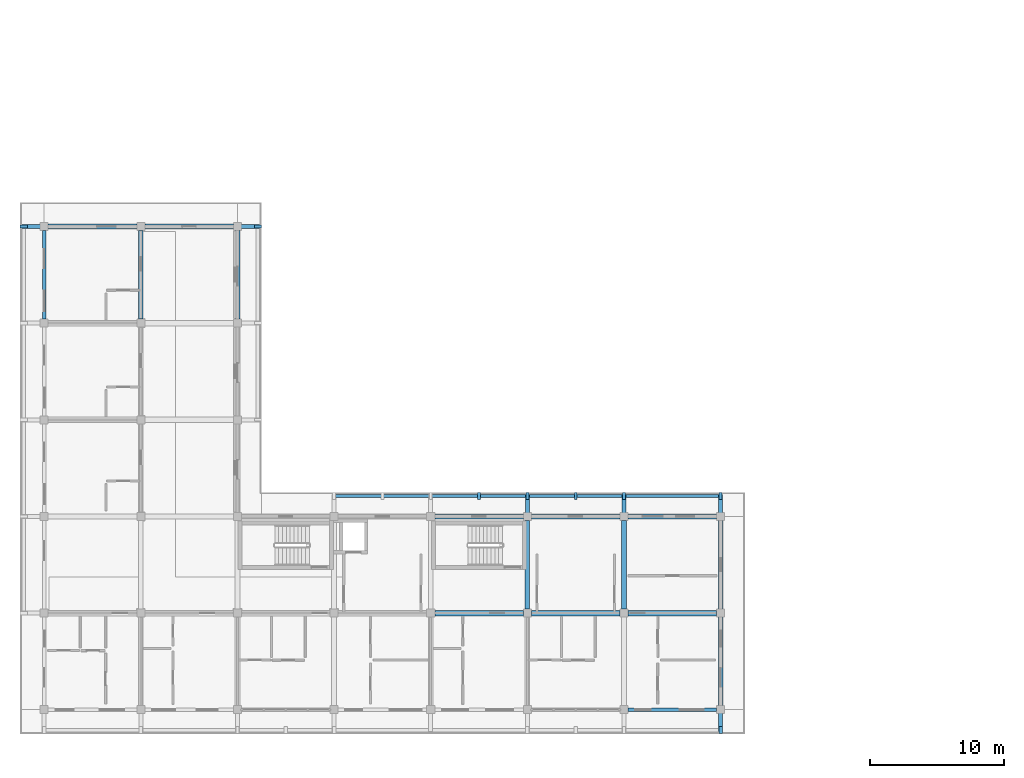
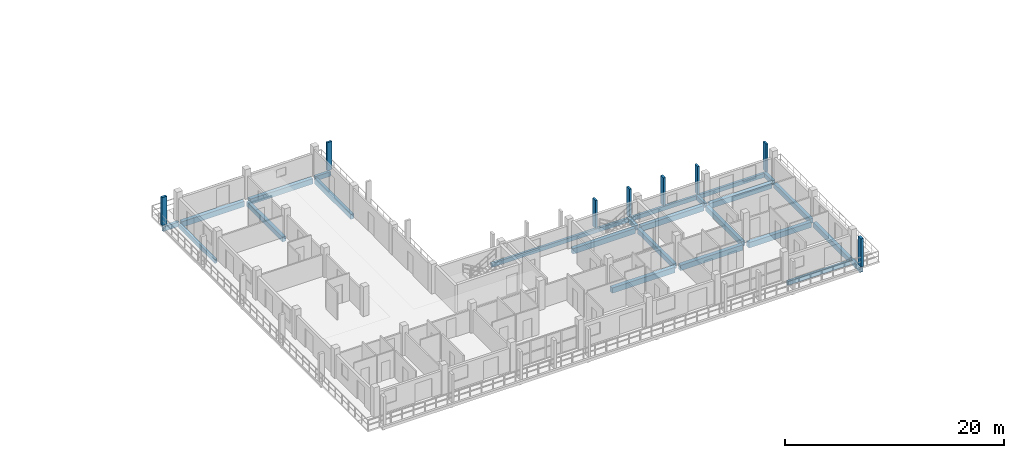
# One storey, part 7 of 75: 23 beams, 8 members.
"""IFC4 building model written with IfcOpenShell, lengths in metres."""

import ifcopenshell
import ifcopenshell.guid

model = None  # the IFC model being written
_history = None  # IfcOwnerHistory: only IFC2X3 demands one
_inside = {}  # id of a spatial element -> (the spatial element, [elements in it])
_under = {}  # id of a project, library or spatial element -> (it, [spatial elements below it])
_declared = {}  # id of a project -> (the project, [libraries it declares])
_typed = {}  # id of a type object -> (the type object, [elements of that type])
_made_of = {}  # id of a material, layer set ... -> (it, [elements and type objects made of it])


def new_model(schema):
    """Start an empty IFC model of exactly this schema.

    Asked for "IFC4X3", IfcOpenShell would pick the latest addendum, in which some entities
    have other attributes; the version numbers below select the first issue.
    IFC2X3 requires an IfcOwnerHistory on every rooted entity: one is made here for all.
    """
    global model, _history
    if schema == "IFC4X3":
        model = ifcopenshell.file(schema_version=(4, 3, 0, 0))
    else:
        model = ifcopenshell.file(schema=schema)
    _inside.clear()
    _under.clear()
    _declared.clear()
    _typed.clear()
    _made_of.clear()
    _history = None
    if model.schema == "IFC2X3":
        org = make("IfcOrganization", Name="unknown")
        user = make(
            "IfcPersonAndOrganization",
            ThePerson=make("IfcPerson", FamilyName="unknown"),
            TheOrganization=org,
        )
        app = make(
            "IfcApplication",
            ApplicationDeveloper=org,
            Version="unknown",
            ApplicationFullName="unknown",
            ApplicationIdentifier="unknown",
        )
        _history = make(
            "IfcOwnerHistory",
            OwningUser=user,
            OwningApplication=app,
            ChangeAction="ADDED",
            CreationDate=0,
        )
    return model


def make(cls, **values):
    """One entity of the class cls with the attributes given. An attribute that is None is left unset."""
    return model.create_entity(
        cls, **{name: value for name, value in values.items() if value is not None}
    )


def rooted(cls, **values):
    """An entity with a GlobalId (a new one), such as an element, a storey or a relation."""
    return make(cls, GlobalId=ifcopenshell.guid.new(), OwnerHistory=_history, **values)


def si_unit(unit_type, name, prefix=None):
    """IfcSIUnit, for example si_unit("LENGTHUNIT", "METRE", prefix="MILLI")."""
    return make("IfcSIUnit", UnitType=unit_type, Prefix=prefix, Name=name)


def assignment(units):
    """IfcUnitAssignment: the units of a project."""
    return None if units is None else make("IfcUnitAssignment", Units=units)


def point(xyz):
    """IfcCartesianPoint."""
    return None if xyz is None else make("IfcCartesianPoint", Coordinates=xyz)


def direction(xyz):
    """IfcDirection."""
    return None if xyz is None else make("IfcDirection", DirectionRatios=xyz)


def frame(location, z_axis=None, x_axis=None):
    """IfcAxis2Placement3D, a coordinate frame: its origin and axes. An axis left out is left unset."""
    return make(
        "IfcAxis2Placement3D",
        Location=point(location),
        Axis=direction(z_axis),
        RefDirection=direction(x_axis),
    )


def frame_2d(location, x_axis=None):
    """IfcAxis2Placement2D, a coordinate frame in the plane: its origin and x axis."""
    return make(
        "IfcAxis2Placement2D", Location=point(location), RefDirection=direction(x_axis)
    )


def origin():
    """The frame at (0, 0, 0) with its axes left unset."""
    return frame((0.0, 0.0, 0.0))


def origin_2d():
    """The frame at (0, 0) in the plane with its x axis left unset."""
    return frame_2d((0.0, 0.0))


def place(relative_to, where):
    """IfcLocalPlacement: puts the frame where relative to a parent placement (None: the world)."""
    return make(
        "IfcLocalPlacement", PlacementRelTo=relative_to, RelativePlacement=where
    )


def context(
    kind, dimensions, precision=None, world=None, true_north=None, identifier=None
):
    """IfcGeometricRepresentationContext, for example the 3D "Model" context."""
    return make(
        "IfcGeometricRepresentationContext",
        ContextIdentifier=identifier,
        ContextType=kind,
        CoordinateSpaceDimension=dimensions,
        Precision=precision,
        WorldCoordinateSystem=world,
        TrueNorth=true_north,
    )


def subcontext(parent, identifier, kind, view, scale=None):
    """IfcGeometricRepresentationSubContext, for example "Body" below "Model"."""
    return make(
        "IfcGeometricRepresentationSubContext",
        ContextIdentifier=identifier,
        ContextType=kind,
        ParentContext=parent,
        TargetScale=scale,
        TargetView=view,
    )


def project(units=None, contexts=None):
    """IfcProject with its units and contexts."""
    return rooted(
        "IfcProject",
        Name="project",
        RepresentationContexts=contexts,
        UnitsInContext=assignment(units),
    )


def spatial(cls, under=None, at=None, **own):
    """A site, building, storey or space (cls), placed at a placement, below another one or the project."""
    s = rooted(cls, ObjectPlacement=at, **own)
    if under is not None:
        _under.setdefault(under.id(), (under, []))[1].append(s)
    return s


def profile(cls, at=None, kind="AREA", **sizes):
    """A parametric profile (cls). Its sizes go by their IFC names, for example OverallWidth=200.0."""
    return make(cls, ProfileType=kind, Position=at, **sizes)


def rectangle(**sizes):
    """IfcRectangleProfileDef."""
    return profile("IfcRectangleProfileDef", **sizes)


def extrude(swept, where, along, depth):
    """IfcExtrudedAreaSolid: the profile swept, set in the frame where, extruded along a direction by depth."""
    return make(
        "IfcExtrudedAreaSolid",
        SweptArea=swept,
        Position=where,
        ExtrudedDirection=direction(along),
        Depth=depth,
    )


def shape(context_of_items, identifier, shape_type, items):
    """IfcShapeRepresentation: the items that make up one representation, for example the "Body"."""
    return make(
        "IfcShapeRepresentation",
        ContextOfItems=context_of_items,
        RepresentationIdentifier=identifier,
        RepresentationType=shape_type,
        Items=items,
    )


def material(Name=None, Category=None):
    """IfcMaterial."""
    return make("IfcMaterial", Name=Name, Category=Category)


def material_profile(
    of_material, cross_section, Name=None, Category=None, Priority=None
):
    """IfcMaterialProfile: a cross section and its material."""
    return make(
        "IfcMaterialProfile",
        Name=Name,
        Material=of_material,
        Profile=cross_section,
        Priority=Priority,
        Category=Category,
    )


def profile_set(profiles, Name=None, composite=None):
    """IfcMaterialProfileSet."""
    return make(
        "IfcMaterialProfileSet",
        Name=Name,
        MaterialProfiles=profiles,
        CompositeProfile=composite,
    )


def made_of(thing, what):
    """Note that an element or type object is made of a material, layer set ...; save() writes the relation."""
    if what is not None:
        _made_of.setdefault(what.id(), (what, []))[1].append(thing)
    return thing


def type_object(cls, material=None, **own):
    """A type object (cls), such as IfcWallType, which elements share."""
    return made_of(rooted(cls, **own), material)


def element(
    cls,
    number,
    at=None,
    inside=None,
    cuts=None,
    type_object=None,
    material=None,
    context=None,
    identifier="Body",
    shape_type=None,
    held_by="IfcProductDefinitionShape",
    body=None,
    shapes=None,
    **own,
):
    """One element of the class cls, such as IfcWall. Its Tag is "e" and its number.

    at: its placement. inside: the storey or other place that contains it. cuts: it is an
    opening in that element (IfcRelVoidsElement). A single representation is given by context,
    identifier, shape_type and body (its items); several are given by shapes. held_by: the class
    of the entity that holds the representations. save() writes the other relations.
    """
    e = rooted(cls, Tag="e%d" % number, ObjectPlacement=at, **own)
    if body is not None:
        shapes = [shape(context, identifier, shape_type, body)]
    if shapes is not None:
        e.Representation = make(held_by, Representations=shapes)
    if inside is not None:
        _inside.setdefault(inside.id(), (inside, []))[1].append(e)
    if cuts is not None:
        rooted(
            "IfcRelVoidsElement", RelatingBuildingElement=cuts, RelatedOpeningElement=e
        )
    if type_object is not None:
        _typed.setdefault(type_object.id(), (type_object, []))[1].append(e)
    return made_of(e, material)


def aggregate(whole, parts):
    """IfcRelAggregates: a whole, such as a stair, and the parts it consists of."""
    return rooted("IfcRelAggregates", RelatingObject=whole, RelatedObjects=parts)


def save(model, path):
    """Write the relations noted so far, then the file.

    IfcRelAggregates (storeys below a building ...), IfcRelContainedInSpatialStructure (elements
    in a storey), IfcRelDefinesByType, IfcRelAssociatesMaterial and IfcRelDeclares: one each for
    every whole, place, type object, material and project.
    """
    for whole, parts in _under.values():
        aggregate(whole, parts)
    for where, things in _inside.values():
        rooted(
            "IfcRelContainedInSpatialStructure",
            RelatedElements=things,
            RelatingStructure=where,
        )
    for kind, things in _typed.values():
        rooted("IfcRelDefinesByType", RelatedObjects=things, RelatingType=kind)
    for what, things in _made_of.values():
        rooted("IfcRelAssociatesMaterial", RelatedObjects=things, RelatingMaterial=what)
    for by, libraries in _declared.values():
        rooted("IfcRelDeclares", RelatingContext=by, RelatedDefinitions=libraries)
    model.write(path)


model = new_model("IFC4")

# Units and contexts
model_context = context("Model", 3, precision=1e-05, world=origin(), true_north=direction((0.0, 1.0)))
body_context = subcontext(model_context, "Body", "Model", "MODEL_VIEW")
ifc_project = project(units=[si_unit("LENGTHUNIT", "METRE"), si_unit("AREAUNIT", "SQUARE_METRE"), si_unit("VOLUMEUNIT", "CUBIC_METRE"), si_unit("PLANEANGLEUNIT", "RADIAN"), si_unit("MASSUNIT", "GRAM", prefix="KILO")], contexts=[model_context])

# Site, building, storey
site_placement = place(None, origin())
site = spatial("IfcSite", under=ifc_project, at=site_placement, CompositionType="ELEMENT")
building_placement = place(site_placement, origin())
building = spatial("IfcBuilding", under=site, at=building_placement, Name="Suanplinth Sawtooth Commons", CompositionType="ELEMENT")
storey_placement = place(building_placement, frame((0.0, 0.0, 18.60009765625)))
storey = spatial("IfcBuildingStorey", under=building, at=storey_placement, Name="L05", CompositionType="ELEMENT", Elevation=18.60009765625)

# Beams
ifc_material_1 = material(Name="Precast concrete C40/50", Category="concrete")
ifc_material_profile_1 = material_profile(ifc_material_1, rectangle(XDim=0.39990234375, YDim=0.60009765625, at=origin_2d()), Name="PC-GDR 400x600")
ifc_profile_set_1 = profile_set([ifc_material_profile_1], Name="Precast concrete C40/50")
beam_type_1 = type_object("IfcBeamType", Name="B-05", PredefinedType="USERDEFINED", material=ifc_profile_set_1)
beam_1_placement = place(storey_placement, frame((0.300048828125, 36.0, -0.550048828125), z_axis=(1.0, 0.0, 0.0), x_axis=(0.0, 1.0, 0.0)))
element("IfcBeam", 1, at=beam_1_placement, inside=storey, type_object=beam_type_1, Name="BMX-L05-D-0-5", ObjectType="GIRDER", PredefinedType="USERDEFINED", context=body_context, shape_type="SweptSolid", body=[
    extrude(rectangle(XDim=0.39990234375, YDim=0.60009765625, at=origin_2d()), origin(), (0.0, 0.0, 1.0), 6.599853515625),
])
beam_2_placement = place(storey_placement, frame((7.5, 36.0, -0.550048828125), z_axis=(1.0, 0.0, 0.0), x_axis=(0.0, 1.0, 0.0)))
element("IfcBeam", 2, at=beam_2_placement, inside=storey, type_object=beam_type_1, Name="BMX-L05-D-1-5", ObjectType="GIRDER", PredefinedType="USERDEFINED", context=body_context, shape_type="SweptSolid", body=[
    extrude(rectangle(XDim=0.39990234375, YDim=0.60009765625, at=origin_2d()), origin(), (0.0, 0.0, 1.0), 6.60009765625),
])
for number, where, z_axis, x_axis, name in (
    (3, (29.10009765625, 7.199951171875, -0.550048828125), (1.0, 0.0, 0.0), (0.0, 1.0, 0.0), "BMX-L05-D-4-1"),
    (4, (29.10009765625, 14.39990234375, -0.550048828125), (1.0, 0.0, 0.0), (0.0, 1.0, 0.0), "BMX-L05-D-4-2"),
    (5, (36.300048828125, 7.199951171875, -0.550048828125), (1.0, 0.0, 0.0), (0.0, 1.0, 0.0), "BMX-L05-D-5-1"),
    (6, (36.300048828125, 14.39990234375, -0.550048828125), (1.0, 0.0, 0.0), (0.0, 1.0, 0.0), "BMX-L05-D-5-2"),
):
    element("IfcBeam", number, at=place(storey_placement, frame(where, z_axis=z_axis, x_axis=x_axis)), inside=storey, type_object=beam_type_1, Name=name, ObjectType="GIRDER", PredefinedType="USERDEFINED", context=body_context, shape_type="SweptSolid", body=[
        extrude(rectangle(XDim=0.39990234375, YDim=0.60009765625, at=origin_2d()), origin(), (0.0, 0.0, 1.0), 6.599853515625),
    ])
for number, where, z_axis, x_axis, name in (
    (7, (43.5, 7.199951171875, -0.550048828125), (1.0, 0.0, 0.0), (0.0, 1.0, 0.0), "BMX-L05-D-6-1"),
    (8, (43.5, 14.39990234375, -0.550048828125), (1.0, 0.0, 0.0), (0.0, 1.0, 0.0), "BMX-L05-D-6-2"),
):
    element("IfcBeam", number, at=place(storey_placement, frame(where, z_axis=z_axis, x_axis=x_axis)), inside=storey, type_object=beam_type_1, Name=name, ObjectType="GIRDER", PredefinedType="USERDEFINED", context=body_context, shape_type="SweptSolid", body=[
        extrude(rectangle(XDim=0.39990234375, YDim=0.60009765625, at=origin_2d()), origin(), (0.0, 0.0, 1.0), 6.60009765625),
    ])
ifc_material_profile_2 = material_profile(ifc_material_1, rectangle(XDim=0.35009765625, YDim=0.550048828125, at=origin_2d()), Name="PC-BM 350x550")
ifc_profile_set_2 = profile_set([ifc_material_profile_2], Name="Precast concrete C40/50")
beam_type_2 = type_object("IfcBeamType", Name="B-06", PredefinedType="BEAM", material=ifc_profile_set_2)
for number, where, z_axis, x_axis, name in (
    (9, (7.199951171875, 29.10009765625, -0.525146484375), (0.0, 1.0, 0.0), (-1.0, 0.0, 0.0), "BMY-L05-D-1-4"),
    (10, (14.39990234375, 29.10009765625, -0.525146484375), (0.0, 1.0, 0.0), (-1.0, 0.0, 0.0), "BMY-L05-D-2-4"),
):
    element("IfcBeam", number, at=place(storey_placement, frame(where, z_axis=z_axis, x_axis=x_axis)), inside=storey, type_object=beam_type_2, Name=name, PredefinedType="BEAM", context=body_context, shape_type="SweptSolid", body=[
        extrude(rectangle(XDim=0.35009765625, YDim=0.550048828125, at=origin_2d()), origin(), (0.0, 0.0, 1.0), 6.599853515625),
    ])
for number, where, z_axis, x_axis, name in (
    (11, (36.0, 7.5, -0.525146484375), (0.0, 1.0, 0.0), (-1.0, 0.0, 0.0), "BMY-L05-D-5-1"),
    (12, (43.199951171875, 7.5, -0.525146484375), (0.0, 1.0, 0.0), (-1.0, 0.0, 0.0), "BMY-L05-D-6-1"),
):
    element("IfcBeam", number, at=place(storey_placement, frame(where, z_axis=z_axis, x_axis=x_axis)), inside=storey, type_object=beam_type_2, Name=name, PredefinedType="BEAM", context=body_context, shape_type="SweptSolid", body=[
        extrude(rectangle(XDim=0.35009765625, YDim=0.550048828125, at=origin_2d()), origin(), (0.0, 0.0, 1.0), 6.60009765625),
    ])
beam_3_placement = place(storey_placement, frame((50.39990234375, 0.300048828125, -0.525146484375), z_axis=(0.0, 1.0, 0.0), x_axis=(-1.0, 0.0, 0.0)))
element("IfcBeam", 13, at=beam_3_placement, inside=storey, type_object=beam_type_2, Name="BMY-L05-D-7-0", PredefinedType="BEAM", context=body_context, shape_type="SweptSolid", body=[
    extrude(rectangle(XDim=0.35009765625, YDim=0.550048828125, at=origin_2d()), origin(), (0.0, 0.0, 1.0), 6.599853515625),
])
beam_4_placement = place(storey_placement, frame((50.39990234375, 7.5, -0.525146484375), z_axis=(0.0, 1.0, 0.0), x_axis=(-1.0, 0.0, 0.0)))
element("IfcBeam", 14, at=beam_4_placement, inside=storey, type_object=beam_type_2, Name="BMY-L05-D-7-1", PredefinedType="BEAM", context=body_context, shape_type="SweptSolid", body=[
    extrude(rectangle(XDim=0.35009765625, YDim=0.550048828125, at=origin_2d()), origin(), (0.0, 0.0, 1.0), 6.60009765625),
])
ifc_material_profile_3 = material_profile(ifc_material_1, rectangle(XDim=0.300048828125, YDim=0.5, at=origin_2d()), Name="PC-BM 300x500")
ifc_profile_set_3 = profile_set([ifc_material_profile_3], Name="Precast concrete C40/50")
beam_type_3 = type_object("IfcBeamType", Name="B-07", PredefinedType="BEAM", material=ifc_profile_set_3)
for number, where, z_axis, x_axis, name in (
    (15, (50.39990234375, 0.0, -0.43017578125), (0.0, -1.0, 0.0), (1.0, 0.0, 0.0), "Balcony Outrigger L05-D-S-7"),
    (16, (0.0, 36.0, -0.43017578125), (-1.0, 0.0, 0.0), (0.0, -1.0, 0.0), "Balcony Outrigger L05-D-W-5"),
):
    element("IfcBeam", number, at=place(storey_placement, frame(where, z_axis=z_axis, x_axis=x_axis)), inside=storey, type_object=beam_type_3, Name=name, PredefinedType="BEAM", context=body_context, shape_type="SweptSolid", body=[
        extrude(rectangle(XDim=0.300048828125, YDim=0.5, at=origin_2d()), origin(), (0.0, 0.0, 1.0), 1.639892578125),
    ])
for number, where, z_axis, x_axis, name in (
    (17, (36.0, 14.39990234375, -0.425048828125), (0.0, 1.0, 0.0), (-1.0, 0.0, 0.0), "Balcony Outrigger L05-D-NC-5"),
    (18, (43.199951171875, 14.39990234375, -0.425048828125), (0.0, 1.0, 0.0), (-1.0, 0.0, 0.0), "Balcony Outrigger L05-D-NC-6"),
    (19, (50.39990234375, 14.39990234375, -0.425048828125), (0.0, 1.0, 0.0), (-1.0, 0.0, 0.0), "Balcony Outrigger L05-D-NC-7"),
    (20, (14.39990234375, 36.0, -0.425048828125), (1.0, 0.0, 0.0), (0.0, 1.0, 0.0), "Balcony Outrigger L05-D-EC-5"),
):
    element("IfcBeam", number, at=place(storey_placement, frame(where, z_axis=z_axis, x_axis=x_axis)), inside=storey, type_object=beam_type_3, Name=name, PredefinedType="BEAM", context=body_context, shape_type="SweptSolid", body=[
        extrude(rectangle(XDim=0.300048828125, YDim=0.5, at=origin_2d()), origin(), (0.0, 0.0, 1.0), 1.64013671875),
    ])
ifc_material_profile_4 = material_profile(ifc_material_1, rectangle(XDim=0.25, YDim=0.449951171875, at=origin_2d()), Name="PC-SP 250x450")
ifc_profile_set_4 = profile_set([ifc_material_profile_4], Name="Precast concrete C40/50")
beam_type_4 = type_object("IfcBeamType", Name="B-09", PredefinedType="SPANDREL", material=ifc_profile_set_4)
beam_5_placement = place(storey_placement, frame((43.5, 0.0, -0.47509765625), z_axis=(1.0, 0.0, 0.0), x_axis=(0.0, 1.0, 0.0)))
element("IfcBeam", 21, at=beam_5_placement, inside=storey, type_object=beam_type_4, Name="BMX-L05-D-6-0", PredefinedType="SPANDREL", context=body_context, shape_type="SweptSolid", body=[
    extrude(rectangle(XDim=0.25, YDim=0.449951171875, at=origin_2d()), origin(), (0.0, 0.0, 1.0), 6.60009765625),
])
beam_6_placement = place(storey_placement, frame((0.0, 29.10009765625, -0.47509765625), z_axis=(0.0, 1.0, 0.0), x_axis=(-1.0, 0.0, 0.0)))
element("IfcBeam", 22, at=beam_6_placement, inside=storey, type_object=beam_type_4, Name="BMY-L05-D-0-4", PredefinedType="SPANDREL", context=body_context, shape_type="SweptSolid", body=[
    extrude(rectangle(XDim=0.25, YDim=0.449951171875, at=origin_2d()), origin(), (0.0, 0.0, 1.0), 6.599853515625),
])
beam_7_placement = place(storey_placement, frame((21.449951171875, 15.919921875, -0.400146484375), z_axis=(1.0, 0.0, 0.0), x_axis=(0.0, 1.0, 0.0)))
element("IfcBeam", 23, at=beam_7_placement, inside=storey, type_object=beam_type_4, Name="Balcony Edge Fascia L05-D-NC", PredefinedType="SPANDREL", context=body_context, shape_type="SweptSolid", body=[
    extrude(rectangle(XDim=0.25, YDim=0.449951171875, at=origin_2d()), origin(), (0.0, 0.0, 1.0), 29.10009765625),
])

# Members
ifc_material_2 = material(Name="Pigmented precast concrete C40/50", Category="concrete")
ifc_material_profile_5 = material_profile(ifc_material_2, rectangle(XDim=0.25, YDim=0.5400390625, at=origin_2d()), Name="PC-FIN 250x540")
ifc_profile_set_5 = profile_set([ifc_material_profile_5], Name="Pigmented precast concrete C40/50")
member_type_1 = type_object("IfcMemberType", Name="M-11", PredefinedType="USERDEFINED", material=ifc_profile_set_5)
for number, where, z_axis, x_axis, name in (
    (24, (50.39990234375, -1.52001953125, 0.0), (0.0, 0.0, 1.0), (1.0, 0.0, 0.0), "Upright Solar Blade L05-D-S-09"),
    (25, (-1.52001953125, 36.0, 0.0), (0.0, 0.0, 1.0), (0.0, 1.0, 0.0), "Upright Solar Blade L05-D-W-14"),
):
    element("IfcMember", number, at=place(storey_placement, frame(where, z_axis=z_axis, x_axis=x_axis)), inside=storey, type_object=member_type_1, Name=name, ObjectType="SHADING FIN", PredefinedType="USERDEFINED", context=body_context, shape_type="SweptSolid", body=[
        extrude(rectangle(XDim=0.25, YDim=0.5400390625, at=origin_2d()), origin(), (0.0, 0.0, 1.0), 3.1298828125),
    ])
ifc_material_profile_6 = material_profile(ifc_material_2, rectangle(XDim=0.2099609375, YDim=0.52001953125, at=origin_2d()), Name="PC-FIN 210x520")
ifc_profile_set_6 = profile_set([ifc_material_profile_6], Name="Pigmented precast concrete C40/50")
member_type_2 = type_object("IfcMemberType", Name="M-12", PredefinedType="USERDEFINED", material=ifc_profile_set_6)
for number, where, z_axis, x_axis, name in (
    (26, (32.39990234375, 15.919921875, 0.0), (0.0, 0.0, 1.0), (1.0, 0.0, 0.0), "Upright Solar Blade L05-D-NC-18"),
    (27, (36.0, 15.919921875, 0.0), (0.0, 0.0, 1.0), (1.0, 0.0, 0.0), "Upright Solar Blade L05-D-NC-19"),
    (28, (39.60009765625, 15.919921875, 0.0), (0.0, 0.0, 1.0), (1.0, 0.0, 0.0), "Upright Solar Blade L05-D-NC-20"),
    (29, (43.199951171875, 15.919921875, 0.0), (0.0, 0.0, 1.0), (1.0, 0.0, 0.0), "Upright Solar Blade L05-D-NC-21"),
    (30, (50.39990234375, 15.919921875, 0.0), (0.0, 0.0, 1.0), (1.0, 0.0, 0.0), "Upright Solar Blade L05-D-NC-22"),
    (31, (15.919921875, 36.0, 0.0), (0.0, 0.0, 1.0), (0.0, 1.0, 0.0), "Upright Solar Blade L05-D-EC-25"),
):
    element("IfcMember", number, at=place(storey_placement, frame(where, z_axis=z_axis, x_axis=x_axis)), inside=storey, type_object=member_type_2, Name=name, ObjectType="SHADING FIN", PredefinedType="USERDEFINED", context=body_context, shape_type="SweptSolid", body=[
        extrude(rectangle(XDim=0.2099609375, YDim=0.52001953125, at=origin_2d()), origin(), (0.0, 0.0, 1.0), 3.1298828125),
    ])

save(model, "model.ifc")
